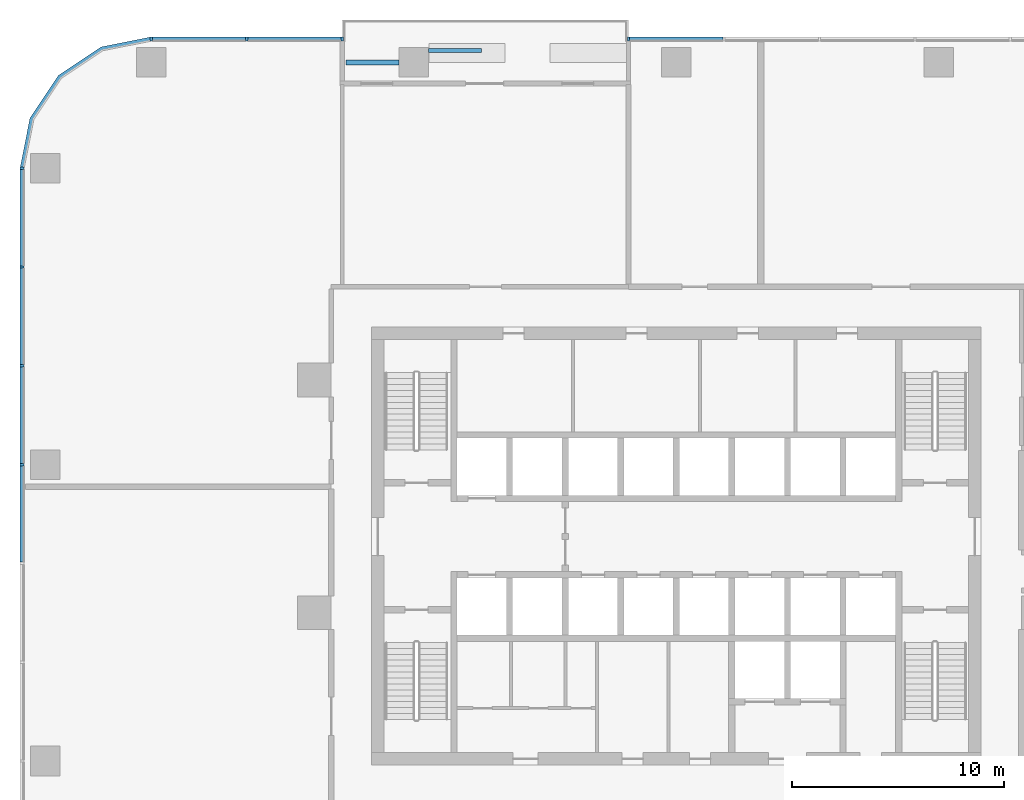
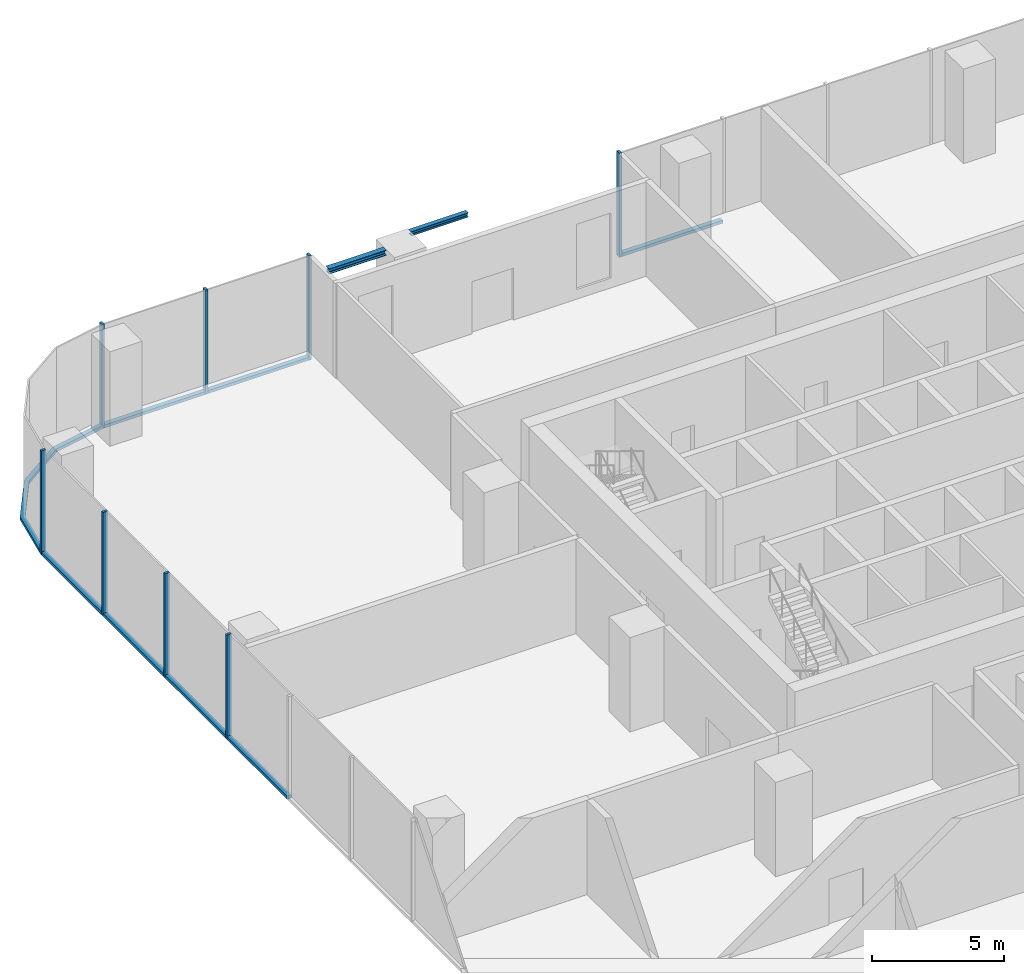
# One storey, part 4 of 15: 16 members, 2 beams, 4 elements without a shape of their own.
"""IFC4 building model written with IfcOpenShell, lengths in metres."""

from ifc_helpers import new_model, si_unit, direction, frame, origin, origin_2d, place, context, subcontext, project, spatial, polyline, rectangle, i_section, outline, extrude, material, material_profile, profile_set, type_object, element, aggregate, save


model = new_model("IFC4")

# Units and contexts
model_context = context("Model", 3, precision=1e-05, world=origin(), true_north=direction((0.0, 1.0)))
body_context = subcontext(model_context, "Body", "Model", "MODEL_VIEW")
ifc_project = project(units=[si_unit("LENGTHUNIT", "METRE"), si_unit("AREAUNIT", "SQUARE_METRE"), si_unit("VOLUMEUNIT", "CUBIC_METRE"), si_unit("PLANEANGLEUNIT", "RADIAN"), si_unit("MASSUNIT", "GRAM", prefix="KILO")], contexts=[model_context])

# Site, building, storey
site_placement = place(None, origin())
site = spatial("IfcSite", under=ifc_project, at=site_placement, CompositionType="ELEMENT")
building_placement = place(site_placement, origin())
building = spatial("IfcBuilding", under=site, at=building_placement, Name="Mopane Tessera Tower", CompositionType="ELEMENT")
storey_placement = place(building_placement, frame((0.0, 0.0, 79.0)))
storey = spatial("IfcBuildingStorey", under=building, at=storey_placement, Name="L15", CompositionType="ELEMENT", Elevation=79.0)

# Curtain wall, member
ifc_material_1 = material(Name="Aluminium frame", Category="aluminium")
curtain_wall_type = type_object("IfcCurtainWallType", Name="Lower tower unitised wall", PredefinedType="NOTDEFINED", material=ifc_material_1)
curtain_wall_1_placement = place(storey_placement, origin())
curtain_wall_1 = element("IfcCurtainWall", 1, at=curtain_wall_1_placement, inside=storey, type_object=curtain_wall_type, Name="e:cw:L15:N:0", PredefinedType="NOTDEFINED")
ifc_material_2 = material(Name="Aluminium frame", Category="aluminium")
ifc_material_profile_1 = material_profile(ifc_material_2, rectangle(XDim=0.110107421875, YDim=0.199951171875, at=origin_2d()))
ifc_profile_set_1 = profile_set([ifc_material_profile_1], Name="Aluminium frame")
member_type_1 = type_object("IfcMemberType", Name="Aluminium mullion 110 x 200", PredefinedType="MULLION", material=ifc_profile_set_1)
member_1_placement = place(storey_placement, frame((-2.254638671875, 27.10009765625, -0.449951171875), z_axis=(0.0, 0.0, 1.0), x_axis=(-1.0, 0.0, 0.0)))
member_1 = element("IfcMember", 2, at=member_1_placement, type_object=member_type_1, Name="e:cw:L15:N:0:mu6", PredefinedType="MULLION", context=body_context, shape_type="SweptSolid", body=[
    extrude(rectangle(XDim=0.110107421875, YDim=0.199951171875, at=origin_2d()), origin(), (0.0, 0.0, 1.0), 4.800048828125),
])

# Curtain wall, members
curtain_wall_2_placement = place(storey_placement, origin())
curtain_wall_2 = element("IfcCurtainWall", 3, at=curtain_wall_2_placement, inside=storey, type_object=curtain_wall_type, Name="e:cw:L15:N:9", PredefinedType="NOTDEFINED")
member_2_placement = place(storey_placement, frame((-15.78173828125, 27.10009765625, -0.449951171875), z_axis=(0.0, 0.0, 1.0), x_axis=(-1.0, 0.0, 0.0)))
member_2 = element("IfcMember", 4, at=member_2_placement, type_object=member_type_1, Name="e:cw:L15:N:9:mu9", PredefinedType="MULLION", context=body_context, shape_type="SweptSolid", body=[
    extrude(rectangle(XDim=0.110107421875, YDim=0.199951171875, at=origin_2d()), origin(), (0.0, 0.0, 1.0), 4.800048828125),
])
member_3_placement = place(storey_placement, frame((-20.291015625, 27.10009765625, -0.449951171875), z_axis=(0.0, 0.0, 1.0), x_axis=(-1.0, 0.0, 0.0)))
member_3 = element("IfcMember", 5, at=member_3_placement, type_object=member_type_1, Name="e:cw:L15:N:9:mu10", PredefinedType="MULLION", context=body_context, shape_type="SweptSolid", body=[
    extrude(rectangle(XDim=0.110107421875, YDim=0.199951171875, at=origin_2d()), origin(), (0.0, 0.0, 1.0), 4.800048828125),
])
member_4_placement = place(storey_placement, frame((-24.800048828125, 27.10009765625, -0.449951171875), z_axis=(0.0, 0.0, 1.0), x_axis=(-1.0, 0.0, 0.0)))
member_4 = element("IfcMember", 6, at=member_4_placement, type_object=member_type_1, Name="e:cw:L15:N:9:mu11", PredefinedType="MULLION", context=body_context, shape_type="SweptSolid", body=[
    extrude(rectangle(XDim=0.110107421875, YDim=0.199951171875, at=origin_2d()), origin(), (0.0, 0.0, 1.0), 4.800048828125),
])

curtain_wall_3_placement = place(storey_placement, origin())
curtain_wall_3 = element("IfcCurtainWall", 7, at=curtain_wall_3_placement, inside=storey, type_object=curtain_wall_type, Name="e:cw:L15:W:0", PredefinedType="NOTDEFINED")
member_5_placement = place(storey_placement, frame((-30.89990234375, 21.0, -0.449951171875), z_axis=(0.0, 0.0, 1.0), x_axis=(0.0, -1.0, 0.0)))
member_5 = element("IfcMember", 8, at=member_5_placement, type_object=member_type_1, Name="e:cw:L15:W:0:mu0", PredefinedType="MULLION", context=body_context, shape_type="SweptSolid", body=[
    extrude(rectangle(XDim=0.110107421875, YDim=0.199951171875, at=origin_2d()), origin(), (0.0, 0.0, 1.0), 4.800048828125),
])
member_6_placement = place(storey_placement, frame((-30.89990234375, 16.333251953125, -0.449951171875), z_axis=(0.0, 0.0, 1.0), x_axis=(0.0, -1.0, 0.0)))
member_6 = element("IfcMember", 9, at=member_6_placement, type_object=member_type_1, Name="e:cw:L15:W:0:mu1", PredefinedType="MULLION", context=body_context, shape_type="SweptSolid", body=[
    extrude(rectangle(XDim=0.110107421875, YDim=0.199951171875, at=origin_2d()), origin(), (0.0, 0.0, 1.0), 4.800048828125),
])
member_7_placement = place(storey_placement, frame((-30.89990234375, 11.666748046875, -0.449951171875), z_axis=(0.0, 0.0, 1.0), x_axis=(0.0, -1.0, 0.0)))
member_7 = element("IfcMember", 10, at=member_7_placement, type_object=member_type_1, Name="e:cw:L15:W:0:mu2", PredefinedType="MULLION", context=body_context, shape_type="SweptSolid", body=[
    extrude(rectangle(XDim=0.110107421875, YDim=0.199951171875, at=origin_2d()), origin(), (0.0, 0.0, 1.0), 4.800048828125),
])
member_8_placement = place(storey_placement, frame((-30.89990234375, 7.0, -0.449951171875), z_axis=(0.0, 0.0, 1.0), x_axis=(0.0, -1.0, 0.0)))
member_8 = element("IfcMember", 11, at=member_8_placement, type_object=member_type_1, Name="e:cw:L15:W:0:mu3", PredefinedType="MULLION", context=body_context, shape_type="SweptSolid", body=[
    extrude(rectangle(XDim=0.110107421875, YDim=0.199951171875, at=origin_2d()), origin(), (0.0, 0.0, 1.0), 4.800048828125),
])

# Member
ifc_material_3 = material(Name="Aluminium frame", Category="aluminium")
ifc_material_profile_2 = material_profile(ifc_material_3, rectangle(XDim=0.199951171875, YDim=0.139892578125, at=origin_2d()))
ifc_profile_set_2 = profile_set([ifc_material_profile_2], Name="Aluminium frame")
member_type_2 = type_object("IfcMemberType", Name="Aluminium transom 200 x 140", PredefinedType="USERDEFINED", material=ifc_profile_set_2)
member_9_placement = place(storey_placement, frame((2.199462890625, 27.10009765625, -0.3798828125), z_axis=(-1.0, 0.0, 0.0), x_axis=(0.0, -1.0, 0.0)))
member_9 = element("IfcMember", 12, at=member_9_placement, type_object=member_type_2, Name="e:cw:L15:N:0:tr5", ObjectType="TRANSOM", PredefinedType="USERDEFINED", context=body_context, shape_type="SweptSolid", body=[
    extrude(rectangle(XDim=0.199951171875, YDim=0.139892578125, at=origin_2d()), origin(), (0.0, 0.0, 1.0), 4.39892578125),
])

aggregate(curtain_wall_1, [member_1, member_9])

member_10_placement = place(storey_placement, frame((-15.8369140625, 27.10009765625, -0.3798828125), z_axis=(-1.0, 0.0, 0.0), x_axis=(0.0, -1.0, 0.0)))
member_10 = element("IfcMember", 13, at=member_10_placement, type_object=member_type_2, Name="e:cw:L15:N:9:tr9", ObjectType="TRANSOM", PredefinedType="USERDEFINED", context=body_context, shape_type="SweptSolid", body=[
    extrude(rectangle(XDim=0.199951171875, YDim=0.139892578125, at=origin_2d()), origin(), (0.0, 0.0, 1.0), 4.39892578125),
])

member_11_placement = place(storey_placement, frame((-20.345947265625, 27.10009765625, -0.3798828125), z_axis=(-1.0, 0.0, 0.0), x_axis=(0.0, -1.0, 0.0)))
member_11 = element("IfcMember", 14, at=member_11_placement, type_object=member_type_2, Name="e:cw:L15:N:9:tr10", ObjectType="TRANSOM", PredefinedType="USERDEFINED", context=body_context, shape_type="SweptSolid", body=[
    extrude(rectangle(XDim=0.199951171875, YDim=0.139892578125, at=origin_2d()), origin(), (0.0, 0.0, 1.0), 4.399169921875),
])

aggregate(curtain_wall_2, [member_2, member_3, member_4, member_10, member_11])

# Curtain wall, member
curtain_wall_4_placement = place(storey_placement, origin())
curtain_wall_4 = element("IfcCurtainWall", 15, at=curtain_wall_4_placement, inside=storey, type_object=curtain_wall_type, Name="e:cw:L15:CN", PredefinedType="NOTDEFINED")
member_12_placement = place(storey_placement, frame((0.0, 0.0, -0.449951171875)))
member_12 = element("IfcMember", 16, at=member_12_placement, type_object=member_type_2, Name="e:cw:L15:CN:tr", ObjectType="TRANSOM", PredefinedType="USERDEFINED", context=body_context, shape_type="SweptSolid", body=[
    extrude(outline(polyline([(-24.800048828125, 27.0), (-27.09619140625, 26.543212890625), (-29.042724609375, 25.24267578125), (-30.34326171875, 23.296142578125), (-30.800048828125, 21.0), (-31.0, 21.0), (-30.528076171875, 23.37255859375), (-29.18408203125, 25.384033203125), (-27.172607421875, 26.72802734375), (-24.800048828125, 27.199951171875), (-24.800048828125, 27.0)])), origin(), (0.0, 0.0, 1.0), 0.139892578125),
])
aggregate(curtain_wall_4, [member_12])

# Member
member_13_placement = place(storey_placement, frame((-30.89990234375, 20.945068359375, -0.3798828125), z_axis=(0.0, -1.0, 0.0), x_axis=(1.0, 0.0, 0.0)))
member_13 = element("IfcMember", 17, at=member_13_placement, type_object=member_type_2, Name="e:cw:L15:W:0:tr0", ObjectType="TRANSOM", PredefinedType="USERDEFINED", context=body_context, shape_type="SweptSolid", body=[
    extrude(rectangle(XDim=0.199951171875, YDim=0.139892578125, at=origin_2d()), origin(), (0.0, 0.0, 1.0), 4.556640625),
])

member_14_placement = place(storey_placement, frame((-30.89990234375, 16.2783203125, -0.3798828125), z_axis=(0.0, -1.0, 0.0), x_axis=(1.0, 0.0, 0.0)))
member_14 = element("IfcMember", 18, at=member_14_placement, type_object=member_type_2, Name="e:cw:L15:W:0:tr1", ObjectType="TRANSOM", PredefinedType="USERDEFINED", context=body_context, shape_type="SweptSolid", body=[
    extrude(rectangle(XDim=0.199951171875, YDim=0.139892578125, at=origin_2d()), origin(), (0.0, 0.0, 1.0), 4.556640625),
])

member_15_placement = place(storey_placement, frame((-30.89990234375, 11.611572265625, -0.3798828125), z_axis=(0.0, -1.0, 0.0), x_axis=(1.0, 0.0, 0.0)))
member_15 = element("IfcMember", 19, at=member_15_placement, type_object=member_type_2, Name="e:cw:L15:W:0:tr2", ObjectType="TRANSOM", PredefinedType="USERDEFINED", context=body_context, shape_type="SweptSolid", body=[
    extrude(rectangle(XDim=0.199951171875, YDim=0.139892578125, at=origin_2d()), origin(), (0.0, 0.0, 1.0), 4.556640625),
])

member_16_placement = place(storey_placement, frame((-30.89990234375, 6.945068359375, -0.3798828125), z_axis=(0.0, -1.0, 0.0), x_axis=(1.0, 0.0, 0.0)))
member_16 = element("IfcMember", 20, at=member_16_placement, type_object=member_type_2, Name="e:cw:L15:W:0:tr3", ObjectType="TRANSOM", PredefinedType="USERDEFINED", context=body_context, shape_type="SweptSolid", body=[
    extrude(rectangle(XDim=0.199951171875, YDim=0.139892578125, at=origin_2d()), origin(), (0.0, 0.0, 1.0), 4.556640625),
])

aggregate(curtain_wall_3, [member_5, member_6, member_7, member_8, member_13, member_14, member_15, member_16])

# Beams
ifc_material_4 = material(Name="Structural steel S460", Category="steel")
ifc_material_profile_3 = material_profile(ifc_material_4, i_section(OverallWidth=0.239990234375, OverallDepth=0.239990234375, WebThickness=0.010009765625, FlangeThickness=0.01708984375, FilletRadius=0.02099609375, at=origin_2d()))
ifc_profile_set_3 = profile_set([ifc_material_profile_3], Name="Structural steel S460")
beam_type_1 = type_object("IfcBeamType", Name="Terrace spandrel beam HE 240 B", PredefinedType="SPANDREL", material=ifc_profile_set_3)
beam_1_placement = place(storey_placement, frame((-13.102783203125, 26.0, 4.22998046875), z_axis=(-1.0, 0.0, 0.0), x_axis=(0.0, -1.0, 0.0)))
element("IfcBeam", 21, at=beam_1_placement, inside=storey, type_object=beam_type_1, Name="Terrace spandrel beam N2 L16", PredefinedType="SPANDREL", context=body_context, shape_type="SweptSolid", body=[
    extrude(i_section(OverallWidth=0.239990234375, OverallDepth=0.239990234375, WebThickness=0.010009765625, FlangeThickness=0.01708984375, FilletRadius=0.02099609375, at=origin_2d()), origin(), (0.0, 0.0, 1.0), 2.5),
])
ifc_material_5 = material(Name="Structural steel S460", Category="steel")
ifc_material_profile_4 = material_profile(ifc_material_5, i_section(OverallWidth=0.199951171875, OverallDepth=0.199951171875, WebThickness=0.009033203125, FlangeThickness=0.014892578125, FilletRadius=0.01806640625, at=origin_2d()))
ifc_profile_set_4 = profile_set([ifc_material_profile_4], Name="Structural steel S460")
beam_type_2 = type_object("IfcBeamType", Name="Terrace trimmer beam HE 200 B", PredefinedType="BEAM", material=ifc_profile_set_4)
beam_2_placement = place(storey_placement, frame((-11.697021484375, 26.56005859375, 4.25), z_axis=(1.0, 0.0, 0.0), x_axis=(0.0, 1.0, 0.0)))
element("IfcBeam", 22, at=beam_2_placement, inside=storey, type_object=beam_type_2, Name="Terrace trimmer beam N2 L16", PredefinedType="BEAM", context=body_context, shape_type="SweptSolid", body=[
    extrude(i_section(OverallWidth=0.199951171875, OverallDepth=0.199951171875, WebThickness=0.009033203125, FlangeThickness=0.014892578125, FilletRadius=0.01806640625, at=origin_2d()), origin(), (0.0, 0.0, 1.0), 2.5),
])

save(model, "model.ifc")
